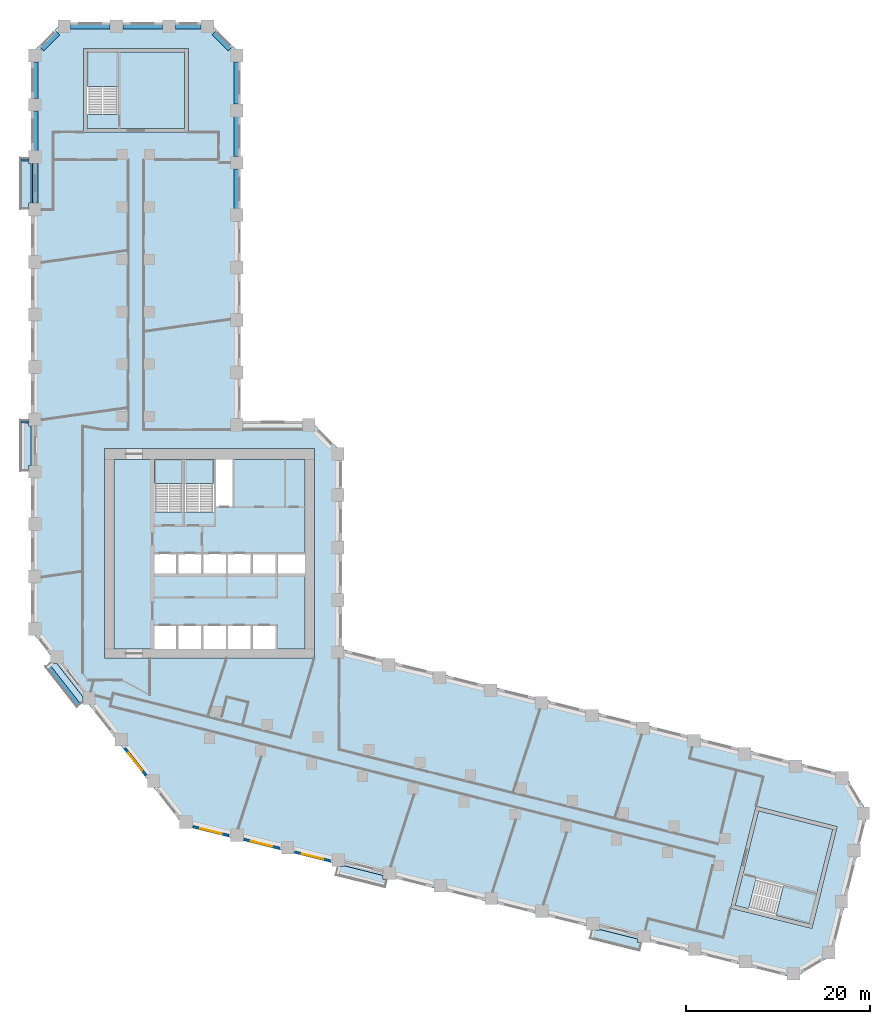
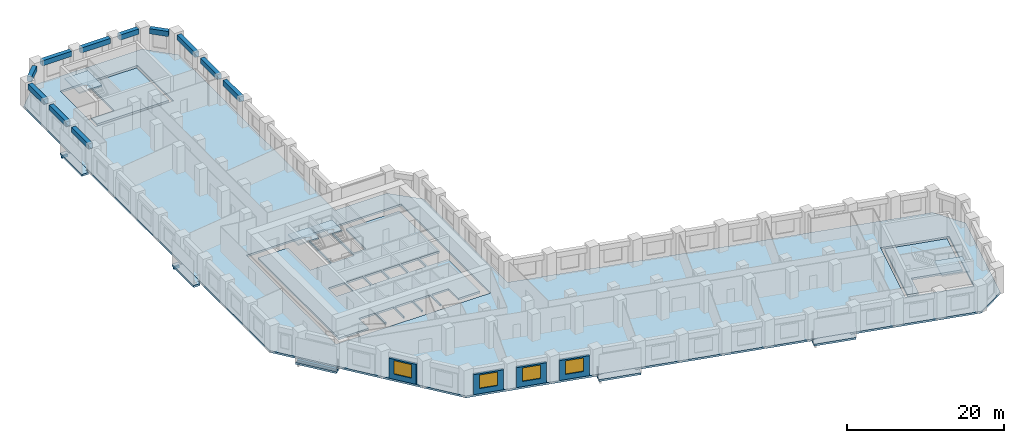
# One storey, part 2 of 12: 13 beams, 13 slabs, 5 walls, 4 windows, 4 openings, 4 elements without a shape of their own.
"""IFC4 building model written with IfcOpenShell, lengths in metres."""

from ifc_helpers import new_model, si_unit, direction, frame, frame_2d, origin, origin_2d, place, context, subcontext, project, spatial, polyline, rectangle, outline, extrude, material, layer, layer_set, material_profile, profile_set, type_object, element, fill, aggregate, save


model = new_model("IFC4")

# Units and contexts
model_context = context("Model", 3, precision=1e-05, world=origin(), true_north=direction((0.0, 1.0)))
body_context = subcontext(model_context, "Body", "Model", "MODEL_VIEW")
ifc_project = project(units=[si_unit("LENGTHUNIT", "METRE"), si_unit("AREAUNIT", "SQUARE_METRE"), si_unit("VOLUMEUNIT", "CUBIC_METRE"), si_unit("PLANEANGLEUNIT", "RADIAN"), si_unit("MASSUNIT", "GRAM", prefix="KILO")], contexts=[model_context])

# Site, building, storey
site_placement = place(None, origin())
site = spatial("IfcSite", under=ifc_project, at=site_placement, CompositionType="ELEMENT")
building_placement = place(site_placement, origin())
building = spatial("IfcBuilding", under=site, at=building_placement, Name="Meshkara Civic Tower", CompositionType="ELEMENT")
storey_placement = place(building_placement, frame((0.0, 0.0, 58.199951171875)))
storey = spatial("IfcBuildingStorey", under=building, at=storey_placement, Name="L12", CompositionType="ELEMENT", Elevation=58.199951171875)

# Beams
ifc_material_1 = material(Name="Concrete C50", Category="concrete")
ifc_material_profile_1 = material_profile(ifc_material_1, rectangle(XDim=0.25, YDim=0.39990234375, at=origin_2d()))
ifc_profile_set_1 = profile_set([ifc_material_profile_1], Name="Concrete C50")
beam_type_1 = type_object("IfcBeamType", Name="Balcony bracket beam RC 250x400 C50", PredefinedType="BEAM", material=ifc_profile_set_1)
for number, where, z_axis, x_axis, name in (
    (1, (-0.2451171875, 68.2548828125, -0.5), (-1.0, 0.0, 0.0), (0.0, -1.0, 0.0), "Balcony bracket beam"),
    (2, (-0.2451171875, 39.7548828125, -0.5), (-1.0, 0.0, 0.0), (0.0, -1.0, 0.0), "Balcony bracket beam"),
):
    element("IfcBeam", number, at=place(storey_placement, frame(where, z_axis=z_axis, x_axis=x_axis)), inside=storey, type_object=beam_type_1, Name=name, PredefinedType="BEAM", context=body_context, shape_type="SweptSolid", body=[
        extrude(rectangle(XDim=0.25, YDim=0.39990234375, at=origin_2d()), origin(), (0.0, 0.0, 1.0), 0.85498046875),
    ])
ifc_material_2 = material(Name="Concrete C70", Category="concrete")
ifc_material_profile_2 = material_profile(ifc_material_2, rectangle(XDim=0.60009765625, YDim=0.800048828125, at=origin_2d()))
ifc_profile_set_2 = profile_set([ifc_material_profile_2], Name="Concrete C70")
beam_type_2 = type_object("IfcBeamType", Name="Spandrel beam RC 600x800 C70", PredefinedType="BEAM", material=ifc_profile_set_2)
beam_1_placement = place(storey_placement, frame((22.35009765625, 62.945068359375, 3.5), z_axis=(0.0, 1.0, 0.0), x_axis=(-1.0, 0.0, 0.0)))
element("IfcBeam", 3, at=beam_1_placement, inside=storey, type_object=beam_type_2, Name="Spandrel beam AE04-AE05", PredefinedType="BEAM", context=body_context, shape_type="SweptSolid", body=[
    extrude(rectangle(XDim=0.60009765625, YDim=0.800048828125, at=origin_2d()), origin(), (0.0, 0.0, 1.0), 4.309814453125),
])
beam_2_placement = place(storey_placement, frame((22.35009765625, 68.64501953125, 3.5), z_axis=(0.0, 1.0, 0.0), x_axis=(-1.0, 0.0, 0.0)))
element("IfcBeam", 4, at=beam_2_placement, inside=storey, type_object=beam_type_2, Name="Spandrel beam AE05-AE06", PredefinedType="BEAM", context=body_context, shape_type="SweptSolid", body=[
    extrude(rectangle(XDim=0.60009765625, YDim=0.800048828125, at=origin_2d()), origin(), (0.0, 0.0, 1.0), 4.31005859375),
])
beam_3_placement = place(storey_placement, frame((22.35009765625, 74.344970703125, 3.5), z_axis=(0.0, 1.0, 0.0), x_axis=(-1.0, 0.0, 0.0)))
element("IfcBeam", 5, at=beam_3_placement, inside=storey, type_object=beam_type_2, Name="Spandrel beam AE06-AEE", PredefinedType="BEAM", context=body_context, shape_type="SweptSolid", body=[
    extrude(rectangle(XDim=0.60009765625, YDim=0.800048828125, at=origin_2d()), origin(), (0.0, 0.0, 1.0), 4.573974609375),
])
beam_4_placement = place(storey_placement, frame((21.653564453125, 80.310546875, 3.5), z_axis=(-0.707155737934, 0.70705782105, 0.0), x_axis=(-0.70705782105, -0.707155737934, 0.0)))
element("IfcBeam", 6, at=beam_4_placement, inside=storey, type_object=beam_type_2, Name="Spandrel beam AEE-ATiE", PredefinedType="BEAM", context=body_context, shape_type="SweptSolid", body=[
    extrude(rectangle(XDim=0.60009765625, YDim=0.800048828125, at=origin_2d()), origin(), (0.0, 0.0, 1.0), 2.493408203125),
])
beam_5_placement = place(storey_placement, frame((18.4990234375, 82.77001953125, 3.5), z_axis=(-1.0, 0.0, 0.0), x_axis=(0.0, -1.0, 0.0)))
element("IfcBeam", 7, at=beam_5_placement, inside=storey, type_object=beam_type_2, Name="Spandrel beam AT02-ATiE", PredefinedType="BEAM", context=body_context, shape_type="SweptSolid", body=[
    extrude(rectangle(XDim=0.60009765625, YDim=0.800048828125, at=origin_2d()), origin(), (0.0, 0.0, 1.0), 2.798095703125),
])
for number, where, z_axis, x_axis, name in (
    (8, (14.31103515625, 82.77001953125, 3.5), (-1.0, 0.0, 0.0), (0.0, -1.0, 0.0), "Spandrel beam AT01-AT02"),
    (9, (8.611083984375, 82.77001953125, 3.5), (-1.0, 0.0, 0.0), (0.0, -1.0, 0.0), "Spandrel beam AT00-AT01"),
):
    element("IfcBeam", number, at=place(storey_placement, frame(where, z_axis=z_axis, x_axis=x_axis)), inside=storey, type_object=beam_type_2, Name=name, PredefinedType="BEAM", context=body_context, shape_type="SweptSolid", body=[
        extrude(rectangle(XDim=0.60009765625, YDim=0.800048828125, at=origin_2d()), origin(), (0.0, 0.0, 1.0), 4.31005859375),
    ])
beam_6_placement = place(storey_placement, frame((2.909423828125, 82.073486328125, 3.5), z_axis=(-0.707106781187, -0.707106781187, 0.0), x_axis=(0.707106781187, -0.707106781187, 0.0)))
element("IfcBeam", 10, at=beam_6_placement, inside=storey, type_object=beam_type_2, Name="Spandrel beam AT00-ATo00", PredefinedType="BEAM", context=body_context, shape_type="SweptSolid", body=[
    extrude(rectangle(XDim=0.60009765625, YDim=0.800048828125, at=origin_2d()), origin(), (0.0, 0.0, 1.0), 2.4931640625),
])
beam_7_placement = place(storey_placement, frame((0.449951171875, 78.9189453125, 3.5), z_axis=(0.0, -1.0, 0.0), x_axis=(1.0, 0.0, 0.0)))
element("IfcBeam", 11, at=beam_7_placement, inside=storey, type_object=beam_type_2, Name="Spandrel beam ATo00-AW10", PredefinedType="BEAM", context=body_context, shape_type="SweptSolid", body=[
    extrude(rectangle(XDim=0.60009765625, YDim=0.800048828125, at=origin_2d()), origin(), (0.0, 0.0, 1.0), 3.968994140625),
])
for number, where, z_axis, x_axis, name in (
    (12, (0.449951171875, 73.56005859375, 3.5), (0.0, -1.0, 0.0), (1.0, 0.0, 0.0), "Spandrel beam AW09-AW10"),
    (13, (0.449951171875, 67.860107421875, 3.5), (0.0, -1.0, 0.0), (1.0, 0.0, 0.0), "Spandrel beam AW08-AW09"),
):
    element("IfcBeam", number, at=place(storey_placement, frame(where, z_axis=z_axis, x_axis=x_axis)), inside=storey, type_object=beam_type_2, Name=name, PredefinedType="BEAM", context=body_context, shape_type="SweptSolid", body=[
        extrude(rectangle(XDim=0.60009765625, YDim=0.800048828125, at=origin_2d()), origin(), (0.0, 0.0, 1.0), 4.31005859375),
    ])

# Slabs
ifc_material_3 = material(Name="Concrete C40", Category="concrete")
ifc_layer_1 = layer(ifc_material_3, 0.300048828125)
ifc_layer_set_1 = layer_set([ifc_layer_1], Name="BALCONY SLAB")
slab_type_1 = type_object("IfcSlabType", Name="BALCONY SLAB", PredefinedType="FLOOR", material=ifc_layer_set_1)
slab_1_placement = place(storey_placement, frame((0.0, 0.0, -0.300048828125)))
element("IfcSlab", 14, at=slab_1_placement, inside=storey, type_object=slab_type_1, Name="Balcony slab", PredefinedType="FLOOR", context=body_context, shape_type="SweptSolid", body=[
    extrude(outline(polyline([(-1.199951171875, 62.9150390625), (-1.199951171875, 68.4951171875), (-0.25, 68.4951171875), (-0.25, 67.85498046875), (0.0, 67.85498046875), (0.0, 63.554931640625), (-0.25, 63.554931640625), (-0.25, 62.9150390625), (-1.199951171875, 62.9150390625)])), origin(), (0.0, 0.0, 1.0), 0.300048828125),
])
slab_2_placement = place(storey_placement, frame((0.0, 0.0, -0.300048828125)))
element("IfcSlab", 15, at=slab_2_placement, inside=storey, type_object=slab_type_1, Name="Balcony slab", PredefinedType="FLOOR", context=body_context, shape_type="SweptSolid", body=[
    extrude(outline(polyline([(-1.199951171875, 34.4150390625), (-1.199951171875, 39.9951171875), (-0.25, 39.9951171875), (-0.25, 39.35498046875), (0.0, 39.35498046875), (0.0, 35.054931640625), (-0.25, 35.054931640625), (-0.25, 34.4150390625), (-1.199951171875, 34.4150390625)])), origin(), (0.0, 0.0, 1.0), 0.300048828125),
])
slab_3_placement = place(storey_placement, frame((0.0, 0.0, -0.300048828125)))
element("IfcSlab", 16, at=slab_3_placement, inside=storey, type_object=slab_type_1, Name="Balcony slab", PredefinedType="FLOOR", context=body_context, shape_type="SweptSolid", body=[
    extrude(outline(polyline([(4.986083984375, 8.76904296875), (1.551025390625, 13.166015625), (2.114013671875, 13.60595703125), (2.114013671875, 13.529052734375), (2.7900390625, 13.529052734375), (5.623046875, 9.903076171875), (5.623046875, 9.26611328125), (4.986083984375, 8.76904296875)])), origin(), (0.0, 0.0, 1.0), 0.300048828125),
])
slab_4_placement = place(storey_placement, frame((0.0, 0.0, -0.300048828125)))
element("IfcSlab", 17, at=slab_4_placement, inside=storey, type_object=slab_type_1, Name="Balcony slab", PredefinedType="FLOOR", context=body_context, shape_type="SweptSolid", body=[
    extrude(outline(polyline([(38.51708984375, -10.840087890625), (33.10205078125, -9.489990234375), (33.330078125, -8.574951171875), (34.14306640625, -8.574951171875), (34.14306640625, -8.512939453125), (38.27392578125, -9.54296875), (38.27392578125, -9.9541015625), (38.738037109375, -9.9541015625), (38.51708984375, -10.840087890625)])), origin(), (0.0, 0.0, 1.0), 0.300048828125),
])
slab_5_placement = place(storey_placement, frame((0.0, 0.0, -0.300048828125)))
element("IfcSlab", 18, at=slab_5_placement, inside=storey, type_object=slab_type_1, Name="Balcony slab", PredefinedType="FLOOR", context=body_context, shape_type="SweptSolid", body=[
    extrude(outline(polyline([(66.169921875, -17.735107421875), (60.756103515625, -16.385009765625), (60.98388671875, -15.468994140625), (61.797119140625, -15.468994140625), (61.797119140625, -15.407958984375), (65.927001953125, -16.43701171875), (65.927001953125, -16.847900390625), (66.39111328125, -16.847900390625), (66.169921875, -17.735107421875)])), origin(), (0.0, 0.0, 1.0), 0.300048828125),
])
ifc_material_4 = material(Name="Concrete C40/50", Category="concrete")
ifc_layer_2 = layer(ifc_material_4, 0.300048828125)
ifc_layer_set_2 = layer_set([ifc_layer_2], Name="Core floor slab 300 C40/50")
slab_type_2 = type_object("IfcSlabType", Name="Core floor slab 300 C40/50", PredefinedType="FLOOR", material=ifc_layer_set_2)
slab_6_placement = place(storey_placement, frame((0.0, 0.0, -0.300048828125)))
element("IfcSlab", 19, at=slab_6_placement, inside=storey, type_object=slab_type_2, Name="Core floor K", PredefinedType="FLOOR", context=body_context, shape_type="SweptSolid", body=[
    extrude(outline(polyline([(9.0, 35.699951171875), (13.39990234375, 35.699951171875), (13.39990234375, 30.00146484375), (16.5, 30.00146484375), (16.5, 35.699951171875), (16.699951171875, 35.699951171875), (16.699951171875, 30.00146484375), (19.89990234375, 30.00146484375), (19.89990234375, 35.699951171875), (20.10009765625, 35.699951171875), (20.10009765625, 30.574951171875), (21.925048828125, 30.574951171875), (21.925048828125, 35.699951171875), (29.800048828125, 35.699951171875), (29.800048828125, 25.39990234375), (26.800048828125, 25.39990234375), (26.800048828125, 23.300048828125), (29.800048828125, 23.300048828125), (29.800048828125, 15.10009765625), (26.60009765625, 15.10009765625), (26.60009765625, 17.60009765625), (24.10009765625, 17.60009765625), (24.10009765625, 15.10009765625), (23.89990234375, 15.10009765625), (23.89990234375, 17.60009765625), (21.39990234375, 17.60009765625), (21.39990234375, 15.10009765625), (21.199951171875, 15.10009765625), (21.199951171875, 17.60009765625), (18.699951171875, 17.60009765625), (18.699951171875, 15.10009765625), (18.5, 15.10009765625), (18.5, 17.60009765625), (16.0, 17.60009765625), (16.0, 15.10009765625), (15.800048828125, 15.10009765625), (15.800048828125, 17.60009765625), (13.39990234375, 17.60009765625), (13.39990234375, 15.10009765625), (9.0, 15.10009765625), (9.0, 35.699951171875)]), holes=[polyline([(13.39990234375, 25.39990234375), (13.39990234375, 23.300048828125), (15.800048828125, 23.300048828125), (15.800048828125, 25.39990234375), (13.39990234375, 25.39990234375)]), polyline([(18.5, 23.300048828125), (18.5, 25.39990234375), (16.0, 25.39990234375), (16.0, 23.300048828125), (18.5, 23.300048828125)]), polyline([(18.699951171875, 25.39990234375), (18.699951171875, 23.300048828125), (21.199951171875, 23.300048828125), (21.199951171875, 25.39990234375), (18.699951171875, 25.39990234375)]), polyline([(21.39990234375, 23.300048828125), (23.89990234375, 23.300048828125), (23.89990234375, 25.39990234375), (21.39990234375, 25.39990234375), (21.39990234375, 23.300048828125)]), polyline([(26.60009765625, 25.39990234375), (24.10009765625, 25.39990234375), (24.10009765625, 23.300048828125), (26.60009765625, 23.300048828125), (26.60009765625, 25.39990234375)])]), origin(), (0.0, 0.0, 1.0), 0.300048828125),
])
slab_7_placement = place(storey_placement, frame((0.0, 0.0, -0.300048828125)))
element("IfcSlab", 20, at=slab_7_placement, inside=storey, type_object=slab_type_2, Name="Core floor EA", PredefinedType="FLOOR", context=body_context, shape_type="SweptSolid", body=[
    extrude(outline(polyline([(16.699951171875, 71.669921875), (16.699951171875, 79.969970703125), (9.5, 79.969970703125), (9.5, 73.17138671875), (6.10009765625, 73.17138671875), (6.10009765625, 71.669921875), (16.699951171875, 71.669921875)])), origin(), (0.0, 0.0, 1.0), 0.300048828125),
])
slab_8_placement = place(storey_placement, frame((0.0, 0.0, -0.300048828125)))
element("IfcSlab", 21, at=slab_8_placement, inside=storey, type_object=slab_type_2, Name="Core floor EB", PredefinedType="FLOOR", context=body_context, shape_type="SweptSolid", body=[
    extrude(outline(polyline([(79.11181640625, -2.513671875), (87.165283203125, -4.521484375), (85.423583984375, -11.507568359375), (78.826904296875, -9.863037109375), (78.00439453125, -13.161865234375), (76.547607421875, -12.798583984375), (79.11181640625, -2.513671875)])), origin(), (0.0, 0.0, 1.0), 0.300048828125),
])

# Stair, slab
ifc_material_5 = material(Name="Precast concrete C40/50", Category="concrete")
stair_type_1 = type_object("IfcStairType", Name="Exit stair half-turn 24 risers precast", PredefinedType="HALF_TURN_STAIR", material=ifc_material_5)
stair_1_placement = place(storey_placement, origin())
stair_1 = element("IfcStair", 22, at=stair_1_placement, inside=storey, type_object=stair_type_1, Name="L12 exit stair 1", PredefinedType="HALF_TURN_STAIR")
ifc_material_6 = material(Name="Precast concrete C40/50", Category="concrete")
ifc_layer_3 = layer(ifc_material_6, 0.199951171875)
ifc_layer_set_3 = layer_set([ifc_layer_3], Name="Exit stair landing 200")
slab_type_3 = type_object("IfcSlabType", Name="Exit stair landing 200", PredefinedType="LANDING", material=ifc_layer_set_3)
slab_9_placement = place(storey_placement, frame((0.0, 0.0, 1.900146484375)))
slab_9 = element("IfcSlab", 23, at=slab_9_placement, type_object=slab_type_3, Name="ST1 landing 1", PredefinedType="LANDING", context=body_context, shape_type="SweptSolid", body=[
    extrude(outline(polyline([(16.5, 33.07861328125), (16.5, 35.699951171875), (13.39990234375, 35.699951171875), (13.39990234375, 33.07861328125), (16.5, 33.07861328125)])), origin(), (0.0, 0.0, 1.0), 0.199951171875),
])
aggregate(stair_1, [slab_9])

stair_2_placement = place(storey_placement, origin())
stair_2 = element("IfcStair", 24, at=stair_2_placement, inside=storey, type_object=stair_type_1, Name="L12 exit stair 2", PredefinedType="HALF_TURN_STAIR")
slab_10_placement = place(storey_placement, frame((0.0, 0.0, 1.900146484375)))
slab_10 = element("IfcSlab", 25, at=slab_10_placement, type_object=slab_type_3, Name="ST2 landing 1", PredefinedType="LANDING", context=body_context, shape_type="SweptSolid", body=[
    extrude(outline(polyline([(19.89990234375, 33.07861328125), (19.89990234375, 35.699951171875), (16.699951171875, 35.699951171875), (16.699951171875, 33.07861328125), (19.89990234375, 33.07861328125)])), origin(), (0.0, 0.0, 1.0), 0.199951171875),
])
aggregate(stair_2, [slab_10])

ifc_material_7 = material(Name="Precast concrete C40/50", Category="concrete")
stair_type_2 = type_object("IfcStairType", Name="Exit stair half-turn 24 risers 1500 precast", PredefinedType="HALF_TURN_STAIR", material=ifc_material_7)
stair_3_placement = place(storey_placement, origin())
stair_3 = element("IfcStair", 26, at=stair_3_placement, inside=storey, type_object=stair_type_2, Name="L12 exit stair A from B2", PredefinedType="HALF_TURN_STAIR")
slab_11_placement = place(storey_placement, frame((0.0, 0.0, 1.900146484375)))
slab_11 = element("IfcSlab", 27, at=slab_11_placement, type_object=slab_type_3, Name="ESA1 landing 1", PredefinedType="LANDING", context=body_context, shape_type="SweptSolid", body=[
    extrude(outline(polyline([(9.5, 76.24853515625), (9.5, 79.969970703125), (6.10009765625, 79.969970703125), (6.10009765625, 76.24853515625), (9.5, 76.24853515625)])), origin(), (0.0, 0.0, 1.0), 0.199951171875),
])
aggregate(stair_3, [slab_11])

stair_4_placement = place(storey_placement, origin())
stair_4 = element("IfcStair", 28, at=stair_4_placement, inside=storey, type_object=stair_type_2, Name="L12 exit stair B from B2", PredefinedType="HALF_TURN_STAIR")
slab_12_placement = place(storey_placement, frame((0.0, 0.0, 1.900146484375)))
slab_12 = element("IfcSlab", 29, at=slab_12_placement, type_object=slab_type_3, Name="ESB1 landing 1", PredefinedType="LANDING", context=body_context, shape_type="SweptSolid", body=[
    extrude(outline(polyline([(80.98974609375, -13.9072265625), (84.600830078125, -14.80810546875), (85.424072265625, -11.50830078125), (81.81298828125, -10.607421875), (80.98974609375, -13.9072265625)])), origin(), (0.0, 0.0, 1.0), 0.199951171875),
])
aggregate(stair_4, [slab_12])

# Slab
ifc_material_8 = material(Name="Concrete C50", Category="concrete")
ifc_layer_4 = layer(ifc_material_8, 0.300048828125)
ifc_layer_set_4 = layer_set([ifc_layer_4], Name="Post-tensioned flat slab 300 C50")
slab_type_4 = type_object("IfcSlabType", Name="Post-tensioned flat slab 300 C50", PredefinedType="FLOOR", material=ifc_layer_set_4)
slab_13_placement = place(storey_placement, frame((0.0, 0.0, -0.300048828125)))
element("IfcSlab", 30, at=slab_13_placement, inside=storey, type_object=slab_type_4, Name="Post-tensioned flat slab L12", PredefinedType="FLOOR", context=body_context, shape_type="SweptSolid", body=[
    extrude(outline(polyline([(87.10595703125, -18.193115234375), (82.9599609375, -20.68408203125), (16.592041015625, -4.136962890625), (0.0, 17.10009765625), (0.0, 79.800048828125), (3.419921875, 83.219970703125), (19.3798828125, 83.219970703125), (22.800048828125, 79.800048828125), (22.800048828125, 39.89990234375), (30.3798828125, 39.89990234375), (33.800048828125, 36.47998046875), (33.800048828125, 15.071044921875), (88.47607421875, 1.43798828125), (90.967041015625, -2.70703125), (87.10595703125, -18.193115234375)]), holes=[polyline([(84.89208984375, -15.2919921875), (87.64990234375, -4.22998046875), (78.821044921875, -2.029052734375), (76.06298828125, -13.090087890625), (84.89208984375, -15.2919921875)]), polyline([(8.0, 14.10009765625), (30.800048828125, 14.10009765625), (30.800048828125, 36.89990234375), (8.0, 36.89990234375), (8.0, 14.10009765625)]), polyline([(5.699951171875, 80.3701171875), (5.699951171875, 71.27001953125), (17.10009765625, 71.27001953125), (17.10009765625, 80.3701171875), (5.699951171875, 80.3701171875)])]), origin(), (0.0, 0.0, 1.0), 0.300048828125),
])

# Wall, opening, window
ifc_material_9 = material(Name="Insulated infill panel with bronze anodised aluminium cladding", Category="aluminium")
ifc_layer_5 = layer(ifc_material_9, 0.300048828125)
ifc_layer_set_5 = layer_set([ifc_layer_5], Name="EXTERNAL INFILL WALL 300")
wall_type_1 = type_object("IfcWallType", Name="EXTERNAL INFILL WALL 300", PredefinedType="SOLIDWALL", material=ifc_layer_set_5)
wall_1_placement = place(storey_placement, frame((10.201904296875, 4.285888671875, 0.0), z_axis=(0.0, 0.0, 1.0), x_axis=(0.615636430057, -0.788030320474, 0.0)))
wall_1 = element("IfcWall", 31, at=wall_1_placement, inside=storey, type_object=wall_type_1, Name="External wall", PredefinedType="SOLIDWALL", context=body_context, shape_type="SweptSolid", body=[
    extrude(rectangle(XDim=3.734375, YDim=0.300048828125, at=frame_2d((1.8671875, 0.0))), origin(), (0.0, 0.0, 1.0), 3.10009765625),
])
opening_1_placement = place(wall_1_placement, frame((0.6669921875, 0.0, 0.800048828125)))
opening_1 = element("IfcOpeningElement", 32, at=opening_1_placement, cuts=wall_1, Name="Opening W7", PredefinedType="OPENING", context=body_context, shape_type="SweptSolid", body=[
    extrude(rectangle(XDim=2.39990234375, YDim=2.10009765625, at=frame_2d((1.199951171875, 1.050048828125))), frame((0.0, 0.159912109375, 0.0), z_axis=(0.0, -1.0, 0.0), x_axis=(1.0, 0.0, 0.0)), (0.0, 0.0, 1.0), 0.320068359375),
])
ifc_material_10 = material(Name="Tinted double glazing", Category="glass")
window_type = type_object("IfcWindowType", Name="WINDOW 2400x2100", PartitioningType="DOUBLE_PANEL_VERTICAL", PredefinedType="WINDOW", material=ifc_material_10)
window_1_placement = place(opening_1_placement, origin())
window_1 = element("IfcWindow", 33, at=window_1_placement, inside=storey, type_object=window_type, Name="Window", OverallHeight=2.10009765625, OverallWidth=2.39990234375, PartitioningType="DOUBLE_PANEL_VERTICAL", PredefinedType="WINDOW", context=body_context, shape_type="SweptSolid", body=[
    extrude(rectangle(XDim=2.39990234375, YDim=2.10009765625, at=frame_2d((1.199951171875, 1.050048828125))), frame((0.0, 0.030029296875, 0.0), z_axis=(0.0, -1.0, 0.0), x_axis=(1.0, 0.0, 0.0)), (0.0, 0.0, 1.0), 0.06005859375),
])
fill(opening_1, window_1)

wall_2_placement = place(storey_placement, frame((17.60205078125, -4.23388671875, 0.0), z_axis=(0.0, 0.0, 1.0), x_axis=(0.970260773365, -0.242062040951, 0.0)))
wall_2 = element("IfcWall", 34, at=wall_2_placement, inside=storey, type_object=wall_type_1, Name="External wall", PredefinedType="SOLIDWALL", context=body_context, shape_type="SweptSolid", body=[
    extrude(rectangle(XDim=4.003173828125, YDim=0.300048828125, at=frame_2d((2.00146484375, 0.0))), origin(), (0.0, 0.0, 1.0), 3.10009765625),
])
opening_2_placement = place(wall_2_placement, frame((0.802001953125, 0.0, 0.800048828125)))
opening_2 = element("IfcOpeningElement", 35, at=opening_2_placement, cuts=wall_2, Name="Opening W7", PredefinedType="OPENING", context=body_context, shape_type="SweptSolid", body=[
    extrude(rectangle(XDim=2.39990234375, YDim=2.10009765625, at=frame_2d((1.199951171875, 1.050048828125))), frame((0.0, 0.159912109375, 0.0), z_axis=(0.0, -1.0, 0.0), x_axis=(1.0, 0.0, 0.0)), (0.0, 0.0, 1.0), 0.320068359375),
])
window_2_placement = place(opening_2_placement, origin())
window_2 = element("IfcWindow", 36, at=window_2_placement, inside=storey, type_object=window_type, Name="Window", OverallHeight=2.10009765625, OverallWidth=2.39990234375, PartitioningType="DOUBLE_PANEL_VERTICAL", PredefinedType="WINDOW", context=body_context, shape_type="SweptSolid", body=[
    extrude(rectangle(XDim=2.39990234375, YDim=2.10009765625, at=frame_2d((1.199951171875, 1.050048828125))), frame((0.0, 0.030029296875, 0.0), z_axis=(0.0, -1.0, 0.0), x_axis=(1.0, 0.0, 0.0)), (0.0, 0.0, 1.0), 0.06005859375),
])
fill(opening_2, window_2)

wall_3_placement = place(storey_placement, frame((23.133056640625, -5.613037109375, 0.0), z_axis=(0.0, 0.0, 1.0), x_axis=(0.970303772127, -0.241889623168, 0.0)))
wall_3 = element("IfcWall", 37, at=wall_3_placement, inside=storey, type_object=wall_type_1, Name="External wall", PredefinedType="SOLIDWALL", context=body_context, shape_type="SweptSolid", body=[
    extrude(rectangle(XDim=4.001953125, YDim=0.300048828125, at=frame_2d((2.0009765625, 0.0))), origin(), (0.0, 0.0, 1.0), 3.10009765625),
])
opening_3_placement = place(wall_3_placement, frame((0.801025390625, 0.0, 0.800048828125)))
opening_3 = element("IfcOpeningElement", 38, at=opening_3_placement, cuts=wall_3, Name="Opening W7", PredefinedType="OPENING", context=body_context, shape_type="SweptSolid", body=[
    extrude(rectangle(XDim=2.39990234375, YDim=2.10009765625, at=frame_2d((1.199951171875, 1.050048828125))), frame((0.0, 0.159912109375, 0.0), z_axis=(0.0, -1.0, 0.0), x_axis=(1.0, 0.0, 0.0)), (0.0, 0.0, 1.0), 0.320068359375),
])
window_3_placement = place(opening_3_placement, origin())
window_3 = element("IfcWindow", 39, at=window_3_placement, inside=storey, type_object=window_type, Name="Window", OverallHeight=2.10009765625, OverallWidth=2.39990234375, PartitioningType="DOUBLE_PANEL_VERTICAL", PredefinedType="WINDOW", context=body_context, shape_type="SweptSolid", body=[
    extrude(rectangle(XDim=2.39990234375, YDim=2.10009765625, at=frame_2d((1.199951171875, 1.050048828125))), frame((0.0, 0.030029296875, 0.0), z_axis=(0.0, -1.0, 0.0), x_axis=(1.0, 0.0, 0.0)), (0.0, 0.0, 1.0), 0.06005859375),
])
fill(opening_3, window_3)

wall_4_placement = place(storey_placement, frame((28.6630859375, -6.991943359375, 0.0), z_axis=(0.0, 0.0, 1.0), x_axis=(0.970318045095, -0.24183236211, 0.0)))
wall_4 = element("IfcWall", 40, at=wall_4_placement, inside=storey, type_object=wall_type_1, Name="External wall", PredefinedType="SOLIDWALL", context=body_context, shape_type="SweptSolid", body=[
    extrude(rectangle(XDim=4.0029296875, YDim=0.300048828125, at=frame_2d((2.00146484375, 0.0))), origin(), (0.0, 0.0, 1.0), 3.10009765625),
])
opening_4_placement = place(wall_4_placement, frame((0.802001953125, 0.0, 0.800048828125)))
opening_4 = element("IfcOpeningElement", 41, at=opening_4_placement, cuts=wall_4, Name="Opening W7", PredefinedType="OPENING", context=body_context, shape_type="SweptSolid", body=[
    extrude(rectangle(XDim=2.39990234375, YDim=2.10009765625, at=frame_2d((1.199951171875, 1.050048828125))), frame((0.0, 0.159912109375, 0.0), z_axis=(0.0, -1.0, 0.0), x_axis=(1.0, 0.0, 0.0)), (0.0, 0.0, 1.0), 0.320068359375),
])
window_4_placement = place(opening_4_placement, origin())
window_4 = element("IfcWindow", 42, at=window_4_placement, inside=storey, type_object=window_type, Name="Window", OverallHeight=2.10009765625, OverallWidth=2.39990234375, PartitioningType="DOUBLE_PANEL_VERTICAL", PredefinedType="WINDOW", context=body_context, shape_type="SweptSolid", body=[
    extrude(rectangle(XDim=2.39990234375, YDim=2.10009765625, at=frame_2d((1.199951171875, 1.050048828125))), frame((0.0, 0.030029296875, 0.0), z_axis=(0.0, -1.0, 0.0), x_axis=(1.0, 0.0, 0.0)), (0.0, 0.0, 1.0), 0.06005859375),
])
fill(opening_4, window_4)

# Wall
ifc_material_11 = material(Name="Concrete C40", Category="concrete")
ifc_layer_6 = layer(ifc_material_11, 0.39990234375)
ifc_layer_set_6 = layer_set([ifc_layer_6], Name="PLANTER TRAY")
wall_type_2 = type_object("IfcWallType", Name="PLANTER TRAY", PredefinedType="SOLIDWALL", material=ifc_layer_set_6)
wall_5_placement = place(storey_placement, frame((1.87109375, 13.27587890625, 0.0), z_axis=(0.0, 0.0, 1.0), x_axis=(0.615632551218, -0.788033350741, 0.0)))
element("IfcWall", 43, at=wall_5_placement, inside=storey, type_object=wall_type_2, Name="Planter", PredefinedType="SOLIDWALL", context=body_context, shape_type="SweptSolid", body=[
    extrude(rectangle(XDim=5.360107421875, YDim=0.39990234375, at=frame_2d((2.68017578125, 0.0))), origin(), (0.0, 0.0, 1.0), 0.300048828125),
])

save(model, "model.ifc")
